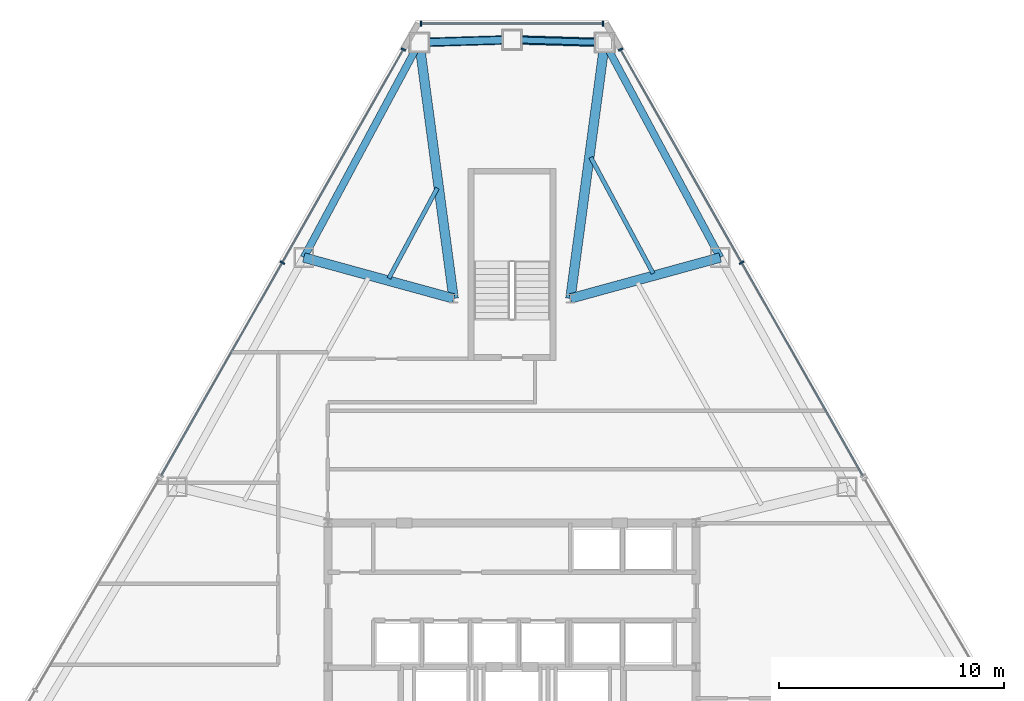
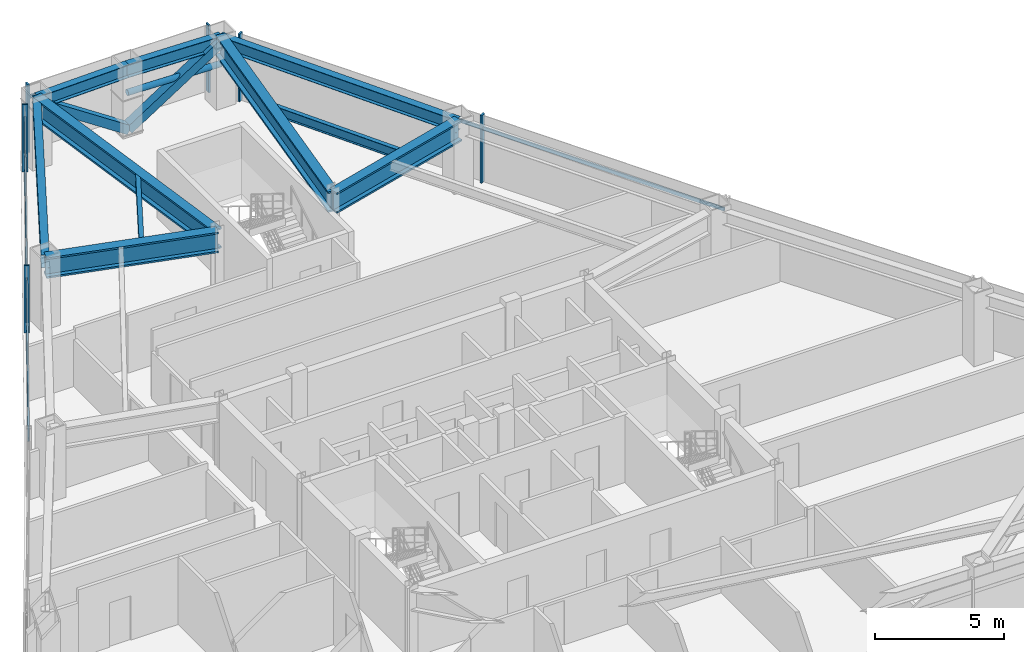
# One storey, part 8 of 13: 12 members, 10 beams, 3 elements without a shape of their own.
"""IFC4 building model written with IfcOpenShell, lengths in metres."""

from ifc_helpers import new_model, si_unit, direction, frame, origin, origin_2d, place, context, subcontext, project, spatial, rectangle, hollow_rectangle, hollow_circle, i_section, extrude, source, transform, mapped, material, layer, layer_set, material_profile, profile_set, type_object, type_shapes, element, aggregate, save


model = new_model("IFC4")

# Units and contexts
model_context = context("Model", 3, precision=1e-05, world=origin(), true_north=direction((0.0, 1.0)))
body_context = subcontext(model_context, "Body", "Model", "MODEL_VIEW")
ifc_project = project(units=[si_unit("LENGTHUNIT", "METRE"), si_unit("AREAUNIT", "SQUARE_METRE"), si_unit("VOLUMEUNIT", "CUBIC_METRE"), si_unit("PLANEANGLEUNIT", "RADIAN"), si_unit("MASSUNIT", "GRAM", prefix="KILO")], contexts=[model_context])

# Site, building, storey
site_placement = place(None, origin())
site = spatial("IfcSite", under=ifc_project, at=site_placement, CompositionType="ELEMENT")
building_placement = place(site_placement, origin())
building = spatial("IfcBuilding", under=site, at=building_placement, Name="Varakhsha Concourse Tower", CompositionType="ELEMENT")
storey_placement = place(building_placement, frame((0.0, 0.0, 136.699951171875)))
storey = spatial("IfcBuildingStorey", under=building, at=storey_placement, Name="L39", CompositionType="ELEMENT", Elevation=136.699951171875)

# Beams
ifc_material_1 = material(Name="Structural Steel ASTM A992 Grade 50", Category="steel")
ifc_material_profile_1 = material_profile(ifc_material_1, i_section(OverallWidth=0.19091796875, OverallDepth=0.45703125, WebThickness=0.009033203125, FlangeThickness=0.013916015625, at=origin_2d()), Name="W18X50")
ifc_profile_set_1 = profile_set([ifc_material_profile_1], Name="Structural Steel ASTM A992 Grade 50")
beam_type_1 = type_object("IfcBeamType", Name="BM-JST-W18X50", PredefinedType="JOIST", material=ifc_profile_set_1)
beam_1_placement = place(storey_placement, frame((36.676513671875, 46.119140625, 2.9814453125), z_axis=(-0.473308162686, -0.880896919699, 0.0), x_axis=(0.880896919699, -0.473308162686, 0.0)))
element("IfcBeam", 1, at=beam_1_placement, inside=storey, type_object=beam_type_1, Name="BM-TJST-L39-03", PredefinedType="JOIST", context=body_context, shape_type="SweptSolid", body=[
    extrude(i_section(OverallWidth=0.19091796875, OverallDepth=0.45703125, WebThickness=0.009033203125, FlangeThickness=0.013916015625, at=origin_2d()), origin(), (0.0, 0.0, 1.0), 4.56201171875),
])
beam_2_placement = place(storey_placement, frame((46.282958984375, 42.319580078125, 2.9814453125), z_axis=(-0.473273184067, 0.880915712905, 0.0), x_axis=(-0.880915712905, -0.473273184067, 0.0)))
element("IfcBeam", 2, at=beam_2_placement, inside=storey, type_object=beam_type_1, Name="BM-TJST-L39-18", PredefinedType="JOIST", context=body_context, shape_type="SweptSolid", body=[
    extrude(i_section(OverallWidth=0.19091796875, OverallDepth=0.45703125, WebThickness=0.009033203125, FlangeThickness=0.013916015625, at=origin_2d()), origin(), (0.0, 0.0, 1.0), 5.8662109375),
])
ifc_material_profile_2 = material_profile(ifc_material_1, i_section(OverallWidth=0.323974609375, OverallDepth=0.611083984375, WebThickness=0.012939453125, FlangeThickness=0.01904296875, at=origin_2d()), Name="W24X104")
ifc_profile_set_2 = profile_set([ifc_material_profile_2], Name="Structural Steel ASTM A992 Grade 50")
beam_type_2 = type_object("IfcBeamType", Name="BM-SPAN-W24X104", PredefinedType="SPANDREL", material=ifc_profile_set_2)
for number, where, z_axis, x_axis, name in (
    (3, (44.1259765625, 52.60009765625, 2.904541015625), (-0.999566117075, 0.029454670195, 0.0), (-0.029454670195, -0.999566117075, 0.0), "BM-SPAN-L39-01"),
    (4, (40.0, 52.7216796875, 2.904541015625), (-0.999566117075, -0.029454670195, 0.0), (0.029454670195, -0.999566117075, 0.0), "BM-SPAN-L39-02"),
):
    element("IfcBeam", number, at=place(storey_placement, frame(where, z_axis=z_axis, x_axis=x_axis)), inside=storey, type_object=beam_type_2, Name=name, PredefinedType="SPANDREL", context=body_context, shape_type="SweptSolid", body=[
        extrude(i_section(OverallWidth=0.323974609375, OverallDepth=0.611083984375, WebThickness=0.012939453125, FlangeThickness=0.01904296875, at=origin_2d()), origin(), (0.0, 0.0, 1.0), 4.127685546875),
    ])
for number, where, z_axis, x_axis, name in (
    (5, (35.8740234375, 52.60009765625, 2.904541015625), (-0.473277094383, -0.880913612071, 0.0), (0.880913612071, -0.473277094383, 0.0), "BM-SPAN-L39-03"),
    (6, (49.26953125, 43.0263671875, 2.904541015625), (-0.473277094383, 0.880913612071, 0.0), (-0.880913612071, -0.473277094383, 0.0), "BM-SPAN-L39-18"),
):
    element("IfcBeam", number, at=place(storey_placement, frame(where, z_axis=z_axis, x_axis=x_axis)), inside=storey, type_object=beam_type_2, Name=name, PredefinedType="SPANDREL", context=body_context, shape_type="SweptSolid", body=[
        extrude(i_section(OverallWidth=0.323974609375, OverallDepth=0.611083984375, WebThickness=0.012939453125, FlangeThickness=0.01904296875, at=origin_2d()), origin(), (0.0, 0.0, 1.0), 10.867919921875),
    ])
ifc_material_profile_3 = material_profile(ifc_material_1, i_section(OverallWidth=0.427978515625, OverallDepth=0.97509765625, WebThickness=0.050048828125, FlangeThickness=0.0810546875, at=origin_2d()), Name="W36X395")
ifc_profile_set_3 = profile_set([ifc_material_profile_3], Name="Structural Steel ASTM A992 Grade 50")
beam_type_3 = type_object("IfcBeamType", Name="BM-XFER-W36X395", PredefinedType="USERDEFINED", material=ifc_profile_set_3)
for number, where, z_axis, x_axis, name in (
    (7, (42.60009765625, 41.199951171875, 2.72265625), (0.132664235553, 0.991161036666, 0.0), (-0.991161036666, 0.132664235553, 0.0), "L39 Radial Floor Girder 01"),
    (8, (37.39990234375, 41.199951171875, 2.72265625), (-0.132664235553, 0.991161036666, 0.0), (-0.991161036666, -0.132664235553, 0.0), "L39 Radial Floor Girder 03"),
):
    element("IfcBeam", number, at=place(storey_placement, frame(where, z_axis=z_axis, x_axis=x_axis)), inside=storey, type_object=beam_type_3, Name=name, ObjectType="GIRDER", PredefinedType="USERDEFINED", context=body_context, shape_type="SweptSolid", body=[
        extrude(i_section(OverallWidth=0.427978515625, OverallDepth=0.97509765625, WebThickness=0.050048828125, FlangeThickness=0.0810546875, at=origin_2d()), origin(), (0.0, 0.0, 1.0), 11.501708984375),
    ])
for number, where, z_axis, x_axis, name in (
    (9, (37.39990234375, 41.199951171875, 2.72265625), (-0.964488724062, 0.264124026089, 0.0), (-0.264124026089, -0.964488724062, 0.0), "L39 Radial Floor Girder 04"),
    (10, (42.60009765625, 41.199951171875, 2.72265625), (0.964488724062, 0.264124026089, 0.0), (-0.264124026089, 0.964488724062, 0.0), "L39 Radial Floor Girder 18"),
):
    element("IfcBeam", number, at=place(storey_placement, frame(where, z_axis=z_axis, x_axis=x_axis)), inside=storey, type_object=beam_type_3, Name=name, ObjectType="GIRDER", PredefinedType="USERDEFINED", context=body_context, shape_type="SweptSolid", body=[
        extrude(i_section(OverallWidth=0.427978515625, OverallDepth=0.97509765625, WebThickness=0.050048828125, FlangeThickness=0.0810546875, at=origin_2d()), origin(), (0.0, 0.0, 1.0), 6.9150390625),
    ])

# Members
ifc_material_2 = material(Name="Structural Steel ASTM A500 Grade C", Category="steel")
ifc_material_profile_4 = material_profile(ifc_material_2, hollow_rectangle(XDim=0.39990234375, YDim=0.39990234375, WallThickness=0.01611328125, at=origin_2d()), Name="HSS 400x400x16")
ifc_profile_set_4 = profile_set([ifc_material_profile_4], Name="Structural Steel ASTM A500 Grade C")
member_type_1 = type_object("IfcMemberType", Name="MB-TUBE-HSS400", PredefinedType="BRACE", material=ifc_profile_set_4)
shared_shape_1 = source(origin(), body_context, "Body", "SweptSolid", [
    extrude(hollow_rectangle(XDim=0.39990234375, YDim=0.39990234375, WallThickness=0.01611328125, at=origin_2d()), origin(), (0.0, 0.0, 1.0), 4.982177734375),
])
type_shapes(member_type_1, [shared_shape_1])
for number, where, z_axis, x_axis, name in (
    (11, (40.0, 52.7216796875, 0.1201171875), (0.828135731354, -0.024403052912, 0.559996162007), (0.029454670195, 0.999566117075, 0.0), "L39 Wind-Corner Tube Brace B01"),
    (12, (40.0, 52.7216796875, 0.1201171875), (-0.828135731354, -0.024403052912, 0.559996162007), (0.029454670195, -0.999566117075, 0.0), "L39 Wind-Corner Tube Brace B02"),
):
    element("IfcMember", number, at=place(storey_placement, frame(where, z_axis=z_axis, x_axis=x_axis)), inside=storey, type_object=member_type_1, Name=name, PredefinedType="BRACE", context=body_context, shape_type="MappedRepresentation", body=[
        mapped(shared_shape_1, transform((0.0, 0.0, 0.0), scale=1.0)),
    ])
ifc_material_profile_5 = material_profile(ifc_material_2, hollow_circle(Radius=0.136474609375, WallThickness=0.011962890625, at=origin_2d()), Name="CHS 273x12")
ifc_profile_set_5 = profile_set([ifc_material_profile_5], Name="Structural Steel ASTM A500 Grade C")
member_type_2 = type_object("IfcMemberType", Name="MB-WIND-CHS273", PredefinedType="COLLAR", material=ifc_profile_set_5)
shared_shape_2 = source(origin(), body_context, "Body", "SweptSolid", [
    extrude(hollow_circle(Radius=0.136474609375, WallThickness=0.011962890625, at=origin_2d()), origin(), (0.0, 0.0, 1.0), 4.127685546875),
])
type_shapes(member_type_2, [shared_shape_2])
member_1_placement = place(storey_placement, frame((44.1259765625, 52.60009765625, 1.800048828125), z_axis=(-0.999566117075, 0.029454670195, 0.0), x_axis=(-0.029454670195, -0.999566117075, 0.0)))
element("IfcMember", 13, at=member_1_placement, inside=storey, type_object=member_type_2, Name="L39 Wind-Corner Collar Tie 1", PredefinedType="COLLAR", context=body_context, shape_type="MappedRepresentation", body=[
    mapped(shared_shape_2, transform((0.0, 0.0, 0.0), scale=1.0)),
])

# Curtain wall, members
ifc_material_3 = material(Name="Anodised Bronze Architectural Aluminium AA 6063-T6", Category="aluminium")
ifc_layer = layer(ifc_material_3, 0.2099609375, Name="CW-SYS-04")
ifc_layer_set = layer_set([ifc_layer], Name="Anodised Bronze Architectural Aluminium AA 6063-T6")
curtain_wall_type = type_object("IfcCurtainWallType", Name="CW-SYS-04", PredefinedType="NOTDEFINED", material=ifc_layer_set)
curtain_wall_1_placement = place(storey_placement, origin())
curtain_wall_1 = element("IfcCurtainWall", 14, at=curtain_wall_1_placement, inside=storey, type_object=curtain_wall_type, Name="L39 Chamfer Curtain Wall F1", PredefinedType="NOTDEFINED")
ifc_material_profile_6 = material_profile(ifc_material_3, rectangle(XDim=0.074951171875, YDim=0.219970703125, at=origin_2d()), Name="CWM-220X75")
ifc_profile_set_6 = profile_set([ifc_material_profile_6], Name="Anodised Bronze Architectural Aluminium AA 6063-T6")
member_type_3 = type_object("IfcMemberType", Name="CWM-220X75", PredefinedType="MULLION", material=ifc_profile_set_6)
shared_shape_3 = source(origin(), body_context, "Body", "SweptSolid", [
    extrude(rectangle(XDim=0.074951171875, YDim=0.219970703125, at=origin_2d()), origin(), (0.0, 0.0, 1.0), 3.2099609375),
])
type_shapes(member_type_3, [shared_shape_3])
member_2_placement = place(storey_placement, frame((35.948486328125, 53.441650390625, 0.0), z_axis=(0.0, 0.0, 1.0), x_axis=(1.0, 0.0, 0.0)))
member_2 = element("IfcMember", 15, at=member_2_placement, type_object=member_type_3, Name="CW-L39-F1 Mullion 00", PredefinedType="MULLION", context=body_context, shape_type="MappedRepresentation", body=[
    mapped(shared_shape_3, transform((0.0, 0.0, 0.0), scale=1.0)),
])
member_3_placement = place(storey_placement, frame((44.051513671875, 53.441650390625, 0.0), z_axis=(0.0, 0.0, 1.0), x_axis=(1.0, 0.0, 0.0)))
member_3 = element("IfcMember", 16, at=member_3_placement, type_object=member_type_3, Name="CW-L39-F1 Mullion 01", PredefinedType="MULLION", context=body_context, shape_type="MappedRepresentation", body=[
    mapped(shared_shape_3, transform((0.0, 0.0, 0.0), scale=1.0)),
])

curtain_wall_2_placement = place(storey_placement, origin())
curtain_wall_2 = element("IfcCurtainWall", 17, at=curtain_wall_2_placement, inside=storey, type_object=curtain_wall_type, Name="L39 Crystal Curtain Wall F2", PredefinedType="NOTDEFINED")
member_4_placement = place(storey_placement, frame((29.7734375, 42.7998046875, 0.0), z_axis=(0.0, 0.0, 1.0), x_axis=(0.494114858069, 0.8693966339, 0.0)))
member_4 = element("IfcMember", 18, at=member_4_placement, type_object=member_type_3, Name="CW-L39-F2 Mullion 01", PredefinedType="MULLION", context=body_context, shape_type="MappedRepresentation", body=[
    mapped(shared_shape_3, transform((0.0, 0.0, 0.0), scale=1.0)),
])
member_5_placement = place(storey_placement, frame((35.166015625, 52.2880859375, 0.0), z_axis=(0.0, 0.0, 1.0), x_axis=(0.494114858069, 0.8693966339, 0.0)))
member_5 = element("IfcMember", 19, at=member_5_placement, type_object=member_type_3, Name="CW-L39-F2 Mullion 02", PredefinedType="MULLION", context=body_context, shape_type="MappedRepresentation", body=[
    mapped(shared_shape_3, transform((0.0, 0.0, 0.0), scale=1.0)),
])

curtain_wall_3_placement = place(storey_placement, origin())
curtain_wall_3 = element("IfcCurtainWall", 20, at=curtain_wall_3_placement, inside=storey, type_object=curtain_wall_type, Name="L39 Crystal Curtain Wall F9", PredefinedType="NOTDEFINED")
member_6_placement = place(storey_placement, frame((44.833984375, 52.2880859375, 0.0), z_axis=(0.0, 0.0, 1.0), x_axis=(0.494114858069, -0.8693966339, 0.0)))
member_6 = element("IfcMember", 21, at=member_6_placement, type_object=member_type_3, Name="CW-L39-F9 Mullion 00", PredefinedType="MULLION", context=body_context, shape_type="MappedRepresentation", body=[
    mapped(shared_shape_3, transform((0.0, 0.0, 0.0), scale=1.0)),
])
member_7_placement = place(storey_placement, frame((50.2265625, 42.7998046875, 0.0), z_axis=(0.0, 0.0, 1.0), x_axis=(0.494114858069, -0.8693966339, 0.0)))
member_7 = element("IfcMember", 22, at=member_7_placement, type_object=member_type_3, Name="CW-L39-F9 Mullion 01", PredefinedType="MULLION", context=body_context, shape_type="MappedRepresentation", body=[
    mapped(shared_shape_3, transform((0.0, 0.0, 0.0), scale=1.0)),
])

# Member
ifc_material_profile_7 = material_profile(ifc_material_3, rectangle(XDim=0.06494140625, YDim=0.159912109375, at=origin_2d()), Name="CWT-160X65")
ifc_profile_set_7 = profile_set([ifc_material_profile_7], Name="Anodised Bronze Architectural Aluminium AA 6063-T6")
member_type_4 = type_object("IfcMemberType", Name="CWT-160X65", PredefinedType="USERDEFINED", material=ifc_profile_set_7)
shared_shape_4 = source(origin(), body_context, "Body", "SweptSolid", [
    extrude(rectangle(XDim=0.06494140625, YDim=0.159912109375, at=origin_2d()), origin(), (0.0, 0.0, 1.0), 21.827392578125),
])
member_8_placement = place(storey_placement, frame((24.380859375, 33.311279296875, 2.56005859375), z_axis=(0.494109139213, 0.869399884142, 0.0), x_axis=(-0.869399884142, 0.494109139213, 0.0)))
member_8 = element("IfcMember", 23, at=member_8_placement, type_object=member_type_4, Name="CW-L39-F2 Transom 01", ObjectType="TRANSOM", PredefinedType="USERDEFINED", context=body_context, shape_type="MappedRepresentation", body=[
    mapped(shared_shape_4, transform((0.0, 0.0, 0.0), scale=1.0)),
])

aggregate(curtain_wall_2, [member_4, member_5, member_8])

member_9_placement = place(storey_placement, frame((44.833984375, 52.2880859375, 2.56005859375), z_axis=(0.494109139213, -0.869399884142, 0.0), x_axis=(0.869399884142, 0.494109139213, 0.0)))
member_9 = element("IfcMember", 24, at=member_9_placement, type_object=member_type_4, Name="CW-L39-F9 Transom 01", ObjectType="TRANSOM", PredefinedType="USERDEFINED", context=body_context, shape_type="MappedRepresentation", body=[
    mapped(shared_shape_4, transform((0.0, 0.0, 0.0), scale=1.0)),
])

aggregate(curtain_wall_3, [member_6, member_7, member_9])

shared_shape_5 = source(origin(), body_context, "Body", "SweptSolid", [
    extrude(rectangle(XDim=0.06494140625, YDim=0.159912109375, at=origin_2d()), origin(), (0.0, 0.0, 1.0), 8.10302734375),
])
type_shapes(member_type_4, [shared_shape_4, shared_shape_5])
member_10_placement = place(storey_placement, frame((35.948486328125, 53.441650390625, 2.56005859375), z_axis=(1.0, 0.0, 0.0), x_axis=(0.0, 1.0, 0.0)))
member_10 = element("IfcMember", 25, at=member_10_placement, type_object=member_type_4, Name="CW-L39-F1 Transom 01", ObjectType="TRANSOM", PredefinedType="USERDEFINED", context=body_context, shape_type="MappedRepresentation", body=[
    mapped(shared_shape_5, transform((0.0, 0.0, 0.0), scale=1.0)),
])

aggregate(curtain_wall_1, [member_2, member_3, member_10])

save(model, "model.ifc")
